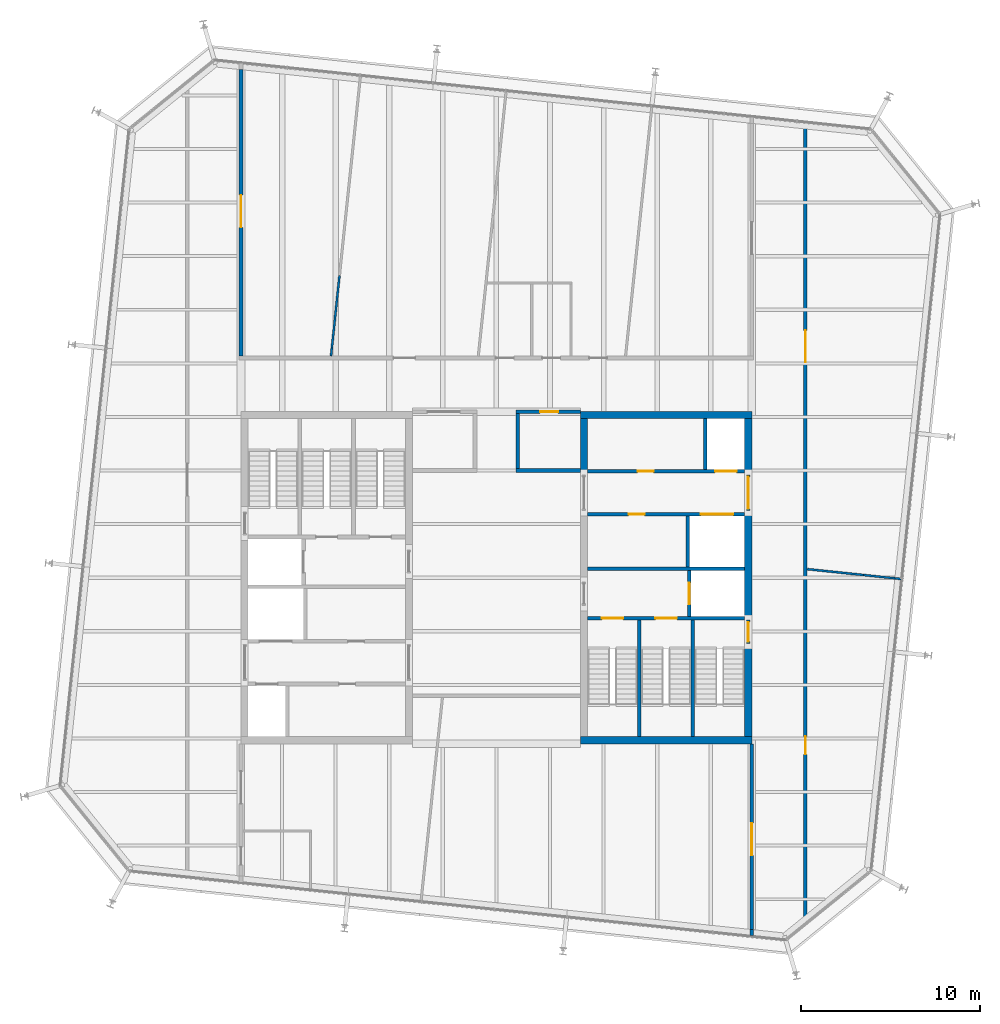
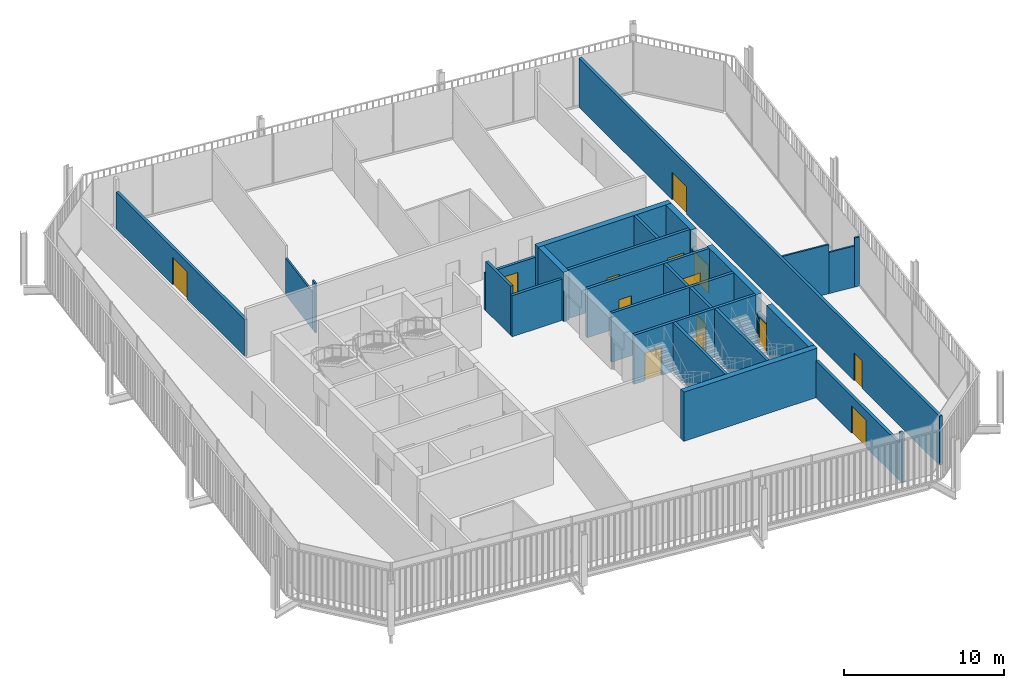
# One storey, part 17 of 20: 29 walls, 14 doors, 14 openings.
"""IFC4 building model written with IfcOpenShell, lengths in metres."""

from ifc_helpers import new_model, si_unit, direction, frame, frame_2d, origin, place, context, subcontext, project, spatial, rectangle, extrude, material, layer, layer_set, type_object, element, fill, save


model = new_model("IFC4")

# Units and contexts
model_context = context("Model", 3, precision=1e-05, world=origin(), true_north=direction((0.0, 1.0)))
body_context = subcontext(model_context, "Body", "Model", "MODEL_VIEW")
ifc_project = project(units=[si_unit("LENGTHUNIT", "METRE"), si_unit("AREAUNIT", "SQUARE_METRE"), si_unit("VOLUMEUNIT", "CUBIC_METRE"), si_unit("PLANEANGLEUNIT", "RADIAN"), si_unit("MASSUNIT", "GRAM", prefix="KILO")], contexts=[model_context])

# Site, building, storey
site_placement = place(None, origin())
site = spatial("IfcSite", under=ifc_project, at=site_placement, CompositionType="ELEMENT")
building_placement = place(site_placement, origin())
building = spatial("IfcBuilding", under=site, at=building_placement, Name="Millrace Tower", CompositionType="ELEMENT")
storey_placement = place(building_placement, frame((0.0, 0.0, 279.89990234375)))
storey = spatial("IfcBuildingStorey", under=building, at=storey_placement, Name="L64", CompositionType="ELEMENT", Elevation=279.89990234375)

# Walls
ifc_material_1 = material(Name="Concrete C60", Category="concrete")
ifc_layer_1 = layer(ifc_material_1, 0.39990234375)
ifc_layer_set_1 = layer_set([ifc_layer_1], Name="Concrete C60")
wall_type_1 = type_object("IfcWallType", Name="Core wall 400 Concrete C60", PredefinedType="SHEAR", material=ifc_layer_set_1)
for number, where, z_axis, x_axis, name in (
    (1, (14.300048828125, 9.10009765625, 0.0), (0.0, 0.0, 1.0), (-1.0, 0.0, 0.0), "Core wall E L64"),
    (2, (14.300048828125, -9.10009765625, 0.0), (0.0, 0.0, 1.0), (-1.0, 0.0, 0.0), "Core wall E L64"),
):
    element("IfcWall", number, at=place(storey_placement, frame(where, z_axis=z_axis, x_axis=x_axis)), inside=storey, type_object=wall_type_1, Name=name, PredefinedType="SHEAR", context=body_context, shape_type="SweptSolid", body=[
        extrude(rectangle(XDim=9.60009765625, YDim=0.39990234375, at=frame_2d((4.800048828125, 0.0))), origin(), (0.0, 0.0, 1.0), 3.739990234375),
    ])
wall_1_placement = place(storey_placement, frame((14.10009765625, 8.89990234375, 0.0), z_axis=(0.0, 0.0, 1.0), x_axis=(0.0, -1.0, 0.0)))
element("IfcWall", 3, at=wall_1_placement, inside=storey, type_object=wall_type_1, Name="Core wall E L64", PredefinedType="SHEAR", context=body_context, shape_type="SweptSolid", body=[
    extrude(rectangle(XDim=3.14990234375, YDim=0.39990234375, at=frame_2d((1.574951171875, 0.0))), origin(), (0.0, 0.0, 1.0), 3.739990234375),
])
wall_2_placement = place(storey_placement, frame((14.10009765625, 3.75, 0.0), z_axis=(0.0, 0.0, 1.0), x_axis=(0.0, -1.0, 0.0)))
element("IfcWall", 4, at=wall_2_placement, inside=storey, type_object=wall_type_1, Name="Core wall E L64", PredefinedType="SHEAR", context=body_context, shape_type="SweptSolid", body=[
    extrude(rectangle(XDim=6.1298828125, YDim=0.39990234375, at=frame_2d((3.06494140625, 0.0))), origin(), (0.0, 0.0, 1.0), 3.739990234375),
])
wall_3_placement = place(storey_placement, frame((14.10009765625, -3.679931640625, 0.0), z_axis=(0.0, 0.0, 1.0), x_axis=(0.0, -1.0, 0.0)))
element("IfcWall", 5, at=wall_3_placement, inside=storey, type_object=wall_type_1, Name="Core wall E L64", PredefinedType="SHEAR", context=body_context, shape_type="SweptSolid", body=[
    extrude(rectangle(XDim=5.219970703125, YDim=0.39990234375, at=frame_2d((2.60986328125, 0.0))), origin(), (0.0, 0.0, 1.0), 3.739990234375),
])
wall_4_placement = place(storey_placement, frame((4.89990234375, 8.89990234375, 0.0), z_axis=(0.0, 0.0, 1.0), x_axis=(0.0, -1.0, 0.0)))
element("IfcWall", 6, at=wall_4_placement, inside=storey, type_object=wall_type_1, Name="Core wall E L64", PredefinedType="SHEAR", context=body_context, shape_type="SweptSolid", body=[
    extrude(rectangle(XDim=3.14990234375, YDim=0.39990234375, at=frame_2d((1.574951171875, 0.0))), origin(), (0.0, 0.0, 1.0), 3.739990234375),
])
ifc_material_2 = material(Name="Masonry partition, fire-rated", Category="masonry")
ifc_layer_2 = layer(ifc_material_2, 0.199951171875)
ifc_layer_set_2 = layer_set([ifc_layer_2], Name="Masonry partition, fire-rated")
wall_type_2 = type_object("IfcWallType", Name="Corridor wall 200", PredefinedType="PARTITIONING", material=ifc_layer_set_2)
wall_5_placement = place(storey_placement, frame((1.10009765625, 6.0, 0.0), z_axis=(0.0, 0.0, 1.0), x_axis=(1.0, 0.0, 0.0)))
element("IfcWall", 7, at=wall_5_placement, inside=storey, type_object=wall_type_2, Name="Corridor wall L64", PredefinedType="PARTITIONING", context=body_context, shape_type="SweptSolid", body=[
    extrude(rectangle(XDim=3.599853515625, YDim=0.199951171875, at=frame_2d((1.7998046875, 0.0))), origin(), (0.0, 0.0, 1.0), 3.140625),
])

# Wall, opening, door
wall_6_placement = place(storey_placement, frame((1.10009765625, 9.300048828125, 0.0), z_axis=(0.0, 0.0, 1.0), x_axis=(1.0, 0.0, 0.0)))
wall_6 = element("IfcWall", 8, at=wall_6_placement, inside=storey, type_object=wall_type_2, Name="Corridor wall L64", PredefinedType="PARTITIONING", context=body_context, shape_type="SweptSolid", body=[
    extrude(rectangle(XDim=3.599853515625, YDim=0.199951171875, at=frame_2d((1.7998046875, 0.0))), origin(), (0.0, 0.0, 1.0), 2.81298828125),
])
opening_1_placement = place(wall_6_placement, frame((1.35009765625, 0.0, 0.0)))
opening_1 = element("IfcOpeningElement", 9, at=opening_1_placement, cuts=wall_6, Name="Opening 64-P002", PredefinedType="OPENING", context=body_context, shape_type="SweptSolid", body=[
    extrude(rectangle(XDim=1.0, YDim=2.10009765625, at=frame_2d((0.5, 1.050048828125))), frame((0.0, 0.10986328125, 0.0), z_axis=(0.0, -1.0, 0.0), x_axis=(1.0, 0.0, 0.0)), (0.0, 0.0, 1.0), 0.219970703125),
])
ifc_material_3 = material(Name="Steel door set, fire-rated", Category="steel")
door_type_1 = type_object("IfcDoorType", Name="Corridor door 1000 x 2100", OperationType="SINGLE_SWING_LEFT", PredefinedType="DOOR", material=ifc_material_3)
door_1_placement = place(opening_1_placement, frame((1.0, 0.0, 0.0), z_axis=(0.0, 0.0, 1.0), x_axis=(-1.0, 0.0, 0.0)))
door_1 = element("IfcDoor", 10, at=door_1_placement, inside=storey, type_object=door_type_1, Name="Door 64-P002", OperationType="SINGLE_SWING_RIGHT", OverallHeight=2.10009765625, OverallWidth=1.0, PredefinedType="DOOR", context=body_context, shape_type="SweptSolid", body=[
    extrude(rectangle(XDim=1.0, YDim=2.10009765625, at=frame_2d((0.5, 1.050048828125))), frame((0.0, 0.02490234375, 0.0), z_axis=(0.0, -1.0, 0.0), x_axis=(1.0, 0.0, 0.0)), (0.0, 0.0, 1.0), 0.050048828125),
])
fill(opening_1, door_1)

# Wall, openings, doors
wall_7_placement = place(storey_placement, frame((17.300048828125, -19.5283203125, 0.0), z_axis=(0.0, 0.0, 1.0), x_axis=(0.0, 1.0, 0.0)))
wall_7 = element("IfcWall", 11, at=wall_7_placement, inside=storey, type_object=wall_type_2, Name="Corridor wall L64", PredefinedType="PARTITIONING", context=body_context, shape_type="SweptSolid", body=[
    extrude(rectangle(XDim=44.986572265625, YDim=0.199951171875, at=frame_2d((22.4931640625, 0.0))), origin(), (0.0, 0.0, 1.0), 3.739990234375),
])
opening_2_placement = place(wall_7_placement, frame((9.6416015625, 0.0, 0.0)))
opening_2 = element("IfcOpeningElement", 12, at=opening_2_placement, cuts=wall_7, Name="Opening 64-P010", PredefinedType="OPENING", context=body_context, shape_type="SweptSolid", body=[
    extrude(rectangle(XDim=1.0, YDim=2.10009765625, at=frame_2d((0.5, 1.050048828125))), frame((0.0, 0.10986328125, 0.0), z_axis=(0.0, -1.0, 0.0), x_axis=(1.0, 0.0, 0.0)), (0.0, 0.0, 1.0), 0.219970703125),
])
opening_3_placement = place(wall_7_placement, frame((31.57763671875, 0.0, 0.0)))
opening_3 = element("IfcOpeningElement", 13, at=opening_3_placement, cuts=wall_7, Name="Opening 64-P011", PredefinedType="OPENING", context=body_context, shape_type="SweptSolid", body=[
    extrude(rectangle(XDim=1.800048828125, YDim=2.10009765625, at=frame_2d((0.89990234375, 1.050048828125))), frame((0.0, 0.10986328125, 0.0), z_axis=(0.0, -1.0, 0.0), x_axis=(1.0, 0.0, 0.0)), (0.0, 0.0, 1.0), 0.219970703125),
])
door_2_placement = place(opening_2_placement, frame((1.0, 0.0, 0.0), z_axis=(0.0, 0.0, 1.0), x_axis=(-1.0, 0.0, 0.0)))
door_2 = element("IfcDoor", 14, at=door_2_placement, inside=storey, type_object=door_type_1, Name="Door 64-P010", OperationType="SINGLE_SWING_RIGHT", OverallHeight=2.10009765625, OverallWidth=1.0, PredefinedType="DOOR", context=body_context, shape_type="SweptSolid", body=[
    extrude(rectangle(XDim=1.0, YDim=2.10009765625, at=frame_2d((0.5, 1.050048828125))), frame((0.0, 0.02490234375, 0.0), z_axis=(0.0, -1.0, 0.0), x_axis=(1.0, 0.0, 0.0)), (0.0, 0.0, 1.0), 0.050048828125),
])
fill(opening_2, door_2)
ifc_material_4 = material(Name="Steel door set, fire-rated", Category="steel")
door_type_2 = type_object("IfcDoorType", Name="Corridor door 1800 x 2100", OperationType="DOUBLE_DOOR_SINGLE_SWING", PredefinedType="DOOR", material=ifc_material_4)
door_3_placement = place(opening_3_placement, origin())
door_3 = element("IfcDoor", 15, at=door_3_placement, inside=storey, type_object=door_type_2, Name="Door 64-P011", OperationType="DOUBLE_DOOR_SINGLE_SWING", OverallHeight=2.10009765625, OverallWidth=1.800048828125, PredefinedType="DOOR", context=body_context, shape_type="SweptSolid", body=[
    extrude(rectangle(XDim=1.800048828125, YDim=2.10009765625, at=frame_2d((0.89990234375, 1.050048828125))), frame((0.0, 0.02490234375, 0.0), z_axis=(0.0, -1.0, 0.0), x_axis=(1.0, 0.0, 0.0)), (0.0, 0.0, 1.0), 0.050048828125),
])
fill(opening_3, door_3)

# Wall
wall_8_placement = place(storey_placement, frame((14.300048828125, -20.037353515625, 0.0), z_axis=(0.0, 0.0, 1.0), x_axis=(0.0, 1.0, 0.0)))
element("IfcWall", 16, at=wall_8_placement, inside=storey, type_object=wall_type_2, Name="Corridor wall L64", PredefinedType="PARTITIONING", context=body_context, shape_type="SweptSolid", body=[
    extrude(rectangle(XDim=0.339111328125, YDim=0.199951171875, at=frame_2d((0.16943359375, 0.0))), origin(), (0.0, 0.0, 1.0), 3.739990234375),
])

# Wall, opening, door
wall_9_placement = place(storey_placement, frame((14.300048828125, -19.6982421875, 0.0), z_axis=(0.0, 0.0, 1.0), x_axis=(0.0, 1.0, 0.0)))
wall_9 = element("IfcWall", 17, at=wall_9_placement, inside=storey, type_object=wall_type_2, Name="Corridor wall L64", PredefinedType="PARTITIONING", context=body_context, shape_type="SweptSolid", body=[
    extrude(rectangle(XDim=10.398193359375, YDim=0.199951171875, at=frame_2d((5.19921875, 0.0))), origin(), (0.0, 0.0, 1.0), 2.81298828125),
])
opening_4_placement = place(wall_9_placement, frame((4.15478515625, 0.0, 0.0)))
opening_4 = element("IfcOpeningElement", 18, at=opening_4_placement, cuts=wall_9, Name="Opening 64-P014", PredefinedType="OPENING", context=body_context, shape_type="SweptSolid", body=[
    extrude(rectangle(XDim=1.800048828125, YDim=2.10009765625, at=frame_2d((0.89990234375, 1.050048828125))), frame((0.0, 0.10986328125, 0.0), z_axis=(0.0, -1.0, 0.0), x_axis=(1.0, 0.0, 0.0)), (0.0, 0.0, 1.0), 0.219970703125),
])
door_4_placement = place(opening_4_placement, frame((1.800048828125, 0.0, 0.0), z_axis=(0.0, 0.0, 1.0), x_axis=(-1.0, 0.0, 0.0)))
door_4 = element("IfcDoor", 19, at=door_4_placement, inside=storey, type_object=door_type_2, Name="Door 64-P014", OperationType="DOUBLE_DOOR_SINGLE_SWING", OverallHeight=2.10009765625, OverallWidth=1.800048828125, PredefinedType="DOOR", context=body_context, shape_type="SweptSolid", body=[
    extrude(rectangle(XDim=1.800048828125, YDim=2.10009765625, at=frame_2d((0.89990234375, 1.050048828125))), frame((0.0, 0.02490234375, 0.0), z_axis=(0.0, -1.0, 0.0), x_axis=(1.0, 0.0, 0.0)), (0.0, 0.0, 1.0), 0.050048828125),
])
fill(opening_4, door_4)

# Wall
wall_10_placement = place(storey_placement, frame((1.199951171875, 6.10009765625, 0.0), z_axis=(0.0, 0.0, 1.0), x_axis=(0.0, 1.0, 0.0)))
element("IfcWall", 20, at=wall_10_placement, inside=storey, type_object=wall_type_2, Name="Corridor wall L64", PredefinedType="PARTITIONING", context=body_context, shape_type="SweptSolid", body=[
    extrude(rectangle(XDim=3.099853515625, YDim=0.199951171875, at=frame_2d((1.5498046875, 0.0))), origin(), (0.0, 0.0, 1.0), 3.739990234375),
])

# Wall, opening, door
wall_11_placement = place(storey_placement, frame((-14.300048828125, 12.39990234375, 0.0), z_axis=(0.0, 0.0, 1.0), x_axis=(0.0, 1.0, 0.0)))
wall_11 = element("IfcWall", 21, at=wall_11_placement, inside=storey, type_object=wall_type_2, Name="Corridor wall L64", PredefinedType="PARTITIONING", context=body_context, shape_type="SweptSolid", body=[
    extrude(rectangle(XDim=16.040283203125, YDim=0.199951171875, at=frame_2d((8.02001953125, 0.0))), origin(), (0.0, 0.0, 1.0), 2.792724609375),
])
opening_5_placement = place(wall_11_placement, frame((7.214599609375, 0.0, 0.0)))
opening_5 = element("IfcOpeningElement", 22, at=opening_5_placement, cuts=wall_11, Name="Opening 64-P004", PredefinedType="OPENING", context=body_context, shape_type="SweptSolid", body=[
    extrude(rectangle(XDim=1.800048828125, YDim=2.10009765625, at=frame_2d((0.89990234375, 1.050048828125))), frame((0.0, 0.10986328125, 0.0), z_axis=(0.0, -1.0, 0.0), x_axis=(1.0, 0.0, 0.0)), (0.0, 0.0, 1.0), 0.219970703125),
])
door_5_placement = place(opening_5_placement, frame((1.800048828125, 0.0, 0.0), z_axis=(0.0, 0.0, 1.0), x_axis=(-1.0, 0.0, 0.0)))
door_5 = element("IfcDoor", 23, at=door_5_placement, inside=storey, type_object=door_type_2, Name="Door 64-P004", OperationType="DOUBLE_DOOR_SINGLE_SWING", OverallHeight=2.10009765625, OverallWidth=1.800048828125, PredefinedType="DOOR", context=body_context, shape_type="SweptSolid", body=[
    extrude(rectangle(XDim=1.800048828125, YDim=2.10009765625, at=frame_2d((0.89990234375, 1.050048828125))), frame((0.0, 0.02490234375, 0.0), z_axis=(0.0, -1.0, 0.0), x_axis=(1.0, 0.0, 0.0)), (0.0, 0.0, 1.0), 0.050048828125),
])
fill(opening_5, door_5)

# Wall, openings, doors
ifc_material_5 = material(Name="Masonry partition, fire-rated", Category="masonry")
ifc_layer_3 = layer(ifc_material_5, 0.199951171875)
ifc_layer_set_3 = layer_set([ifc_layer_3], Name="Masonry partition, fire-rated")
wall_type_3 = type_object("IfcWallType", Name="Lift shaft wall 200", PredefinedType="PARTITIONING", material=ifc_layer_set_3)
wall_12_placement = place(storey_placement, frame((13.89990234375, 5.949951171875, 0.0), z_axis=(0.0, 0.0, 1.0), x_axis=(-1.0, 0.0, 0.0)))
wall_12 = element("IfcWall", 24, at=wall_12_placement, inside=storey, type_object=wall_type_3, Name="Lift shaft wall E L64", PredefinedType="PARTITIONING", context=body_context, shape_type="SweptSolid", body=[
    extrude(rectangle(XDim=8.7998046875, YDim=0.199951171875, at=frame_2d((4.39990234375, 0.0))), origin(), (0.0, 0.0, 1.0), 3.739990234375),
])
opening_6_placement = place(wall_12_placement, frame((0.449951171875, 0.0, 0.0)))
opening_6 = element("IfcOpeningElement", 25, at=opening_6_placement, cuts=wall_12, Name="Opening 64-LD09", PredefinedType="OPENING", context=body_context, shape_type="SweptSolid", body=[
    extrude(rectangle(XDim=1.199951171875, YDim=2.10009765625, at=frame_2d((0.60009765625, 1.050048828125))), frame((0.0, 0.10986328125, 0.0), z_axis=(0.0, -1.0, 0.0), x_axis=(1.0, 0.0, 0.0)), (0.0, 0.0, 1.0), 0.219970703125),
])
opening_7_placement = place(wall_12_placement, frame((5.10009765625, 0.0, 0.0)))
opening_7 = element("IfcOpeningElement", 26, at=opening_7_placement, cuts=wall_12, Name="Opening 64-C013", PredefinedType="OPENING", context=body_context, shape_type="SweptSolid", body=[
    extrude(rectangle(XDim=0.89990234375, YDim=2.10009765625, at=frame_2d((0.449951171875, 1.050048828125))), frame((0.0, 0.10986328125, 0.0), z_axis=(0.0, -1.0, 0.0), x_axis=(1.0, 0.0, 0.0)), (0.0, 0.0, 1.0), 0.219970703125),
])
ifc_material_6 = material(Name="Stainless steel, fire-rated", Category="steel")
door_type_3 = type_object("IfcDoorType", Name="Lift landing door 1200 x 2100", OperationType="DOUBLE_DOOR_SLIDING", PredefinedType="DOOR", material=ifc_material_6)
door_6_placement = place(opening_6_placement, origin())
door_6 = element("IfcDoor", 27, at=door_6_placement, inside=storey, type_object=door_type_3, Name="Lift landing door LF9 L64", OperationType="DOUBLE_DOOR_SLIDING", OverallHeight=2.10009765625, OverallWidth=1.199951171875, PredefinedType="DOOR", context=body_context, shape_type="SweptSolid", body=[
    extrude(rectangle(XDim=1.199951171875, YDim=2.10009765625, at=frame_2d((0.60009765625, 1.050048828125))), frame((0.0, 0.02490234375, 0.0), z_axis=(0.0, -1.0, 0.0), x_axis=(1.0, 0.0, 0.0)), (0.0, 0.0, 1.0), 0.050048828125),
])
fill(opening_6, door_6)
ifc_material_7 = material(Name="Steel door, fire-rated", Category="steel")
door_type_4 = type_object("IfcDoorType", Name="Service room door 900 x 2100", OperationType="SINGLE_SWING_LEFT", PredefinedType="DOOR", material=ifc_material_7)
door_7_placement = place(opening_7_placement, frame((0.89990234375, 0.0, 0.0), z_axis=(0.0, 0.0, 1.0), x_axis=(-1.0, 0.0, 0.0)))
door_7 = element("IfcDoor", 28, at=door_7_placement, inside=storey, type_object=door_type_4, Name="Service room door 64-C013", OperationType="SINGLE_SWING_LEFT", OverallHeight=2.10009765625, OverallWidth=0.89990234375, PredefinedType="DOOR", context=body_context, shape_type="SweptSolid", body=[
    extrude(rectangle(XDim=0.89990234375, YDim=2.10009765625, at=frame_2d((0.449951171875, 1.050048828125))), frame((0.0, 0.02490234375, 0.0), z_axis=(0.0, -1.0, 0.0), x_axis=(1.0, 0.0, 0.0)), (0.0, 0.0, 1.0), 0.050048828125),
])
fill(opening_7, door_7)

wall_13_placement = place(storey_placement, frame((13.89990234375, 3.550048828125, 0.0), z_axis=(0.0, 0.0, 1.0), x_axis=(-1.0, 0.0, 0.0)))
wall_13 = element("IfcWall", 29, at=wall_13_placement, inside=storey, type_object=wall_type_3, Name="Lift shaft wall E L64", PredefinedType="PARTITIONING", context=body_context, shape_type="SweptSolid", body=[
    extrude(rectangle(XDim=8.7998046875, YDim=0.199951171875, at=frame_2d((4.39990234375, 0.0))), origin(), (0.0, 0.0, 1.0), 3.739990234375),
])
opening_8_placement = place(wall_13_placement, frame((0.64990234375, 0.0, 0.0)))
opening_8 = element("IfcOpeningElement", 30, at=opening_8_placement, cuts=wall_13, Name="Opening 64-LD13", PredefinedType="OPENING", context=body_context, shape_type="SweptSolid", body=[
    extrude(rectangle(XDim=1.800048828125, YDim=2.10009765625, at=frame_2d((0.89990234375, 1.050048828125))), frame((0.0, 0.10986328125, 0.0), z_axis=(0.0, -1.0, 0.0), x_axis=(1.0, 0.0, 0.0)), (0.0, 0.0, 1.0), 0.219970703125),
])
opening_9_placement = place(wall_13_placement, frame((5.60009765625, 0.0, 0.0)))
opening_9 = element("IfcOpeningElement", 31, at=opening_9_placement, cuts=wall_13, Name="Opening 64-C014", PredefinedType="OPENING", context=body_context, shape_type="SweptSolid", body=[
    extrude(rectangle(XDim=0.89990234375, YDim=2.10009765625, at=frame_2d((0.449951171875, 1.050048828125))), frame((0.0, 0.10986328125, 0.0), z_axis=(0.0, -1.0, 0.0), x_axis=(1.0, 0.0, 0.0)), (0.0, 0.0, 1.0), 0.219970703125),
])
ifc_material_8 = material(Name="Stainless steel, fire-rated", Category="steel")
door_type_5 = type_object("IfcDoorType", Name="Lift landing door 1800 x 2100", OperationType="DOUBLE_DOOR_SLIDING", PredefinedType="DOOR", material=ifc_material_8)
door_8_placement = place(opening_8_placement, origin())
door_8 = element("IfcDoor", 32, at=door_8_placement, inside=storey, type_object=door_type_5, Name="Lift landing door LF13 L64", OperationType="DOUBLE_DOOR_SLIDING", OverallHeight=2.10009765625, OverallWidth=1.800048828125, PredefinedType="DOOR", context=body_context, shape_type="SweptSolid", body=[
    extrude(rectangle(XDim=1.800048828125, YDim=2.10009765625, at=frame_2d((0.89990234375, 1.050048828125))), frame((0.0, 0.02490234375, 0.0), z_axis=(0.0, -1.0, 0.0), x_axis=(1.0, 0.0, 0.0)), (0.0, 0.0, 1.0), 0.050048828125),
])
fill(opening_8, door_8)
door_9_placement = place(opening_9_placement, origin())
door_9 = element("IfcDoor", 33, at=door_9_placement, inside=storey, type_object=door_type_4, Name="Service room door 64-C014", OperationType="SINGLE_SWING_RIGHT", OverallHeight=2.10009765625, OverallWidth=0.89990234375, PredefinedType="DOOR", context=body_context, shape_type="SweptSolid", body=[
    extrude(rectangle(XDim=0.89990234375, YDim=2.10009765625, at=frame_2d((0.449951171875, 1.050048828125))), frame((0.0, 0.02490234375, 0.0), z_axis=(0.0, -1.0, 0.0), x_axis=(1.0, 0.0, 0.0)), (0.0, 0.0, 1.0), 0.050048828125),
])
fill(opening_9, door_9)

# Wall
wall_14_placement = place(storey_placement, frame((13.89990234375, 0.5, 0.0), z_axis=(0.0, 0.0, 1.0), x_axis=(-1.0, 0.0, 0.0)))
element("IfcWall", 34, at=wall_14_placement, inside=storey, type_object=wall_type_3, Name="Lift shaft wall E L64", PredefinedType="PARTITIONING", context=body_context, shape_type="SweptSolid", body=[
    extrude(rectangle(XDim=8.7998046875, YDim=0.199951171875, at=frame_2d((4.39990234375, 0.0))), origin(), (0.0, 0.0, 1.0), 3.739990234375),
])

# Wall, opening, door
wall_15_placement = place(storey_placement, frame((10.800048828125, 0.39990234375, 0.0), z_axis=(0.0, 0.0, 1.0), x_axis=(0.0, -1.0, 0.0)))
wall_15 = element("IfcWall", 35, at=wall_15_placement, inside=storey, type_object=wall_type_3, Name="Lift shaft wall E L64", PredefinedType="PARTITIONING", context=body_context, shape_type="SweptSolid", body=[
    extrude(rectangle(XDim=2.579833984375, YDim=0.199951171875, at=frame_2d((1.2900390625, 0.0))), origin(), (0.0, 0.0, 1.0), 3.739990234375),
])
opening_10_placement = place(wall_15_placement, frame((0.68994140625, 0.0, 0.0)))
opening_10 = element("IfcOpeningElement", 36, at=opening_10_placement, cuts=wall_15, Name="Opening 64-LD16", PredefinedType="OPENING", context=body_context, shape_type="SweptSolid", body=[
    extrude(rectangle(XDim=1.199951171875, YDim=2.10009765625, at=frame_2d((0.60009765625, 1.050048828125))), frame((0.0, 0.10986328125, 0.0), z_axis=(0.0, -1.0, 0.0), x_axis=(1.0, 0.0, 0.0)), (0.0, 0.0, 1.0), 0.219970703125),
])
door_10_placement = place(opening_10_placement, origin())
door_10 = element("IfcDoor", 37, at=door_10_placement, inside=storey, type_object=door_type_3, Name="Lift landing door LF16 L64", OperationType="DOUBLE_DOOR_SLIDING", OverallHeight=2.10009765625, OverallWidth=1.199951171875, PredefinedType="DOOR", context=body_context, shape_type="SweptSolid", body=[
    extrude(rectangle(XDim=1.199951171875, YDim=2.10009765625, at=frame_2d((0.60009765625, 1.050048828125))), frame((0.0, 0.02490234375, 0.0), z_axis=(0.0, -1.0, 0.0), x_axis=(1.0, 0.0, 0.0)), (0.0, 0.0, 1.0), 0.050048828125),
])
fill(opening_10, door_10)

# Walls
for number, where, z_axis, x_axis, name in (
    (38, (11.699951171875, 8.89990234375, 0.0), (0.0, 0.0, 1.0), (0.0, -1.0, 0.0), "Lift shaft wall E L64"),
    (39, (10.699951171875, 3.449951171875, 0.0), (0.0, 0.0, 1.0), (0.0, -1.0, 0.0), "Lift shaft wall E L64"),
):
    element("IfcWall", number, at=place(storey_placement, frame(where, z_axis=z_axis, x_axis=x_axis)), inside=storey, type_object=wall_type_3, Name=name, PredefinedType="PARTITIONING", context=body_context, shape_type="SweptSolid", body=[
        extrude(rectangle(XDim=2.849853515625, YDim=0.199951171875, at=frame_2d((1.4248046875, 0.0))), origin(), (0.0, 0.0, 1.0), 3.739990234375),
    ])

# Wall, opening, door
ifc_material_9 = material(Name="Masonry partition, fire-rated", Category="masonry")
ifc_layer_4 = layer(ifc_material_9, 0.199951171875)
ifc_layer_set_4 = layer_set([ifc_layer_4], Name="Masonry partition, fire-rated")
wall_type_4 = type_object("IfcWallType", Name="Lobby wall 200", PredefinedType="PARTITIONING", material=ifc_layer_set_4)
wall_16_placement = place(storey_placement, frame((14.10009765625, 5.75, 0.0), z_axis=(0.0, 0.0, 1.0), x_axis=(0.0, -1.0, 0.0)))
wall_16 = element("IfcWall", 40, at=wall_16_placement, inside=storey, type_object=wall_type_4, Name="Lobby wall E L64", PredefinedType="PARTITIONING", context=body_context, shape_type="SweptSolid", body=[
    extrude(rectangle(XDim=2.0, YDim=0.199951171875, at=frame_2d((1.0, 0.0))), origin(), (0.0, 0.0, 1.0), 2.400146484375),
])
opening_11_placement = place(wall_16_placement, frame((0.10009765625, 0.0, 0.0)))
opening_11 = element("IfcOpeningElement", 41, at=opening_11_placement, cuts=wall_16, Name="Opening 64-C009", PredefinedType="OPENING", context=body_context, shape_type="SweptSolid", body=[
    extrude(rectangle(XDim=1.800048828125, YDim=2.10009765625, at=frame_2d((0.89990234375, 1.050048828125))), frame((0.0, 0.10986328125, 0.0), z_axis=(0.0, -1.0, 0.0), x_axis=(1.0, 0.0, 0.0)), (0.0, 0.0, 1.0), 0.219970703125),
])
ifc_material_10 = material(Name="Steel door, fire-rated", Category="steel")
door_type_6 = type_object("IfcDoorType", Name="Lobby door 1800 x 2100", OperationType="DOUBLE_DOOR_SINGLE_SWING", PredefinedType="DOOR", material=ifc_material_10)
door_11_placement = place(opening_11_placement, origin())
door_11 = element("IfcDoor", 42, at=door_11_placement, inside=storey, type_object=door_type_6, Name="Lobby door 64-C009", OperationType="DOUBLE_DOOR_SINGLE_SWING", OverallHeight=2.10009765625, OverallWidth=1.800048828125, PredefinedType="DOOR", context=body_context, shape_type="SweptSolid", body=[
    extrude(rectangle(XDim=1.800048828125, YDim=2.10009765625, at=frame_2d((0.89990234375, 1.050048828125))), frame((0.0, 0.02490234375, 0.0), z_axis=(0.0, -1.0, 0.0), x_axis=(1.0, 0.0, 0.0)), (0.0, 0.0, 1.0), 0.050048828125),
])
fill(opening_11, door_11)

# Walls
ifc_material_11 = material(Name="Gypsum board partition")
ifc_layer_5 = layer(ifc_material_11, 0.1201171875)
ifc_layer_set_5 = layer_set([ifc_layer_5], Name="Gypsum board partition")
wall_type_5 = type_object("IfcWallType", Name="Partition wall 120", PredefinedType="PARTITIONING", material=ifc_layer_set_5)
wall_17_placement = place(storey_placement, frame((17.3994140625, 0.48046875, 0.0), z_axis=(0.0, 0.0, 1.0), x_axis=(0.994526077067, -0.104488669403, 0.0)))
element("IfcWall", 43, at=wall_17_placement, inside=storey, type_object=wall_type_5, Name="Partition wall L64", PredefinedType="PARTITIONING", context=body_context, shape_type="SweptSolid", body=[
    extrude(rectangle(XDim=3.17529296875, YDim=0.1201171875, at=frame_2d((1.587646484375, 0.0))), origin(), (0.0, 0.0, 1.0), 3.739990234375),
])
wall_18_placement = place(storey_placement, frame((20.557373046875, 0.148681640625, 0.0), z_axis=(0.0, 0.0, 1.0), x_axis=(0.99452965292, -0.104454628731, 0.0)))
element("IfcWall", 44, at=wall_18_placement, inside=storey, type_object=wall_type_5, Name="Partition wall L64", PredefinedType="PARTITIONING", context=body_context, shape_type="SweptSolid", body=[
    extrude(rectangle(XDim=1.76708984375, YDim=0.1201171875, at=frame_2d((0.883544921875, 0.0))), origin(), (0.0, 0.0, 1.0), 3.140625),
])
wall_19_placement = place(storey_placement, frame((22.314697265625, -0.035888671875, 0.0), z_axis=(0.0, 0.0, 1.0), x_axis=(0.994476864797, -0.104956016419, 0.0)))
element("IfcWall", 45, at=wall_19_placement, inside=storey, type_object=wall_type_5, Name="Partition wall L64", PredefinedType="PARTITIONING", context=body_context, shape_type="SweptSolid", body=[
    extrude(rectangle(XDim=0.327880859375, YDim=0.1201171875, at=frame_2d((0.1640625, 0.0))), origin(), (0.0, 0.0, 1.0), 3.739990234375),
])
wall_20_placement = place(storey_placement, frame((-9.260498046875, 12.3994140625, 0.0), z_axis=(0.0, 0.0, 1.0), x_axis=(0.104319005638, 0.994543887952, 0.0)))
element("IfcWall", 46, at=wall_20_placement, inside=storey, type_object=wall_type_5, Name="Partition wall L64", PredefinedType="PARTITIONING", context=body_context, shape_type="SweptSolid", body=[
    extrude(rectangle(XDim=0.45166015625, YDim=0.1201171875, at=frame_2d((0.225830078125, 0.0))), origin(), (0.0, 0.0, 1.0), 3.739990234375),
])
wall_21_placement = place(storey_placement, frame((-9.21337890625, 12.8486328125, 0.0), z_axis=(0.0, 0.0, 1.0), x_axis=(0.104547794158, 0.99451986342, 0.0)))
element("IfcWall", 47, at=wall_21_placement, inside=storey, type_object=wall_type_5, Name="Partition wall L64", PredefinedType="PARTITIONING", context=body_context, shape_type="SweptSolid", body=[
    extrude(rectangle(XDim=4.08203125, YDim=0.1201171875, at=frame_2d((2.041015625, 0.0))), origin(), (0.0, 0.0, 1.0), 2.81298828125),
])

# Wall, opening, door
ifc_material_12 = material(Name="Concrete C40", Category="concrete")
ifc_layer_6 = layer(ifc_material_12, 0.199951171875)
ifc_layer_set_6 = layer_set([ifc_layer_6], Name="Concrete C40")
wall_type_6 = type_object("IfcWallType", Name="Stair enclosure wall 200 Concrete C40", PredefinedType="SHEAR", material=ifc_layer_set_6)
wall_22_placement = place(storey_placement, frame((14.10009765625, -2.3798828125, 0.0), z_axis=(0.0, 0.0, 1.0), x_axis=(0.0, -1.0, 0.0)))
wall_22 = element("IfcWall", 48, at=wall_22_placement, inside=storey, type_object=wall_type_6, Name="Stair enclosure wall E L64", PredefinedType="SHEAR", context=body_context, shape_type="SweptSolid", body=[
    extrude(rectangle(XDim=1.300048828125, YDim=0.199951171875, at=frame_2d((0.64990234375, 0.0))), origin(), (0.0, 0.0, 1.0), 2.400146484375),
])
opening_12_placement = place(wall_22_placement, frame((0.10009765625, 0.0, 0.0)))
opening_12 = element("IfcOpeningElement", 49, at=opening_12_placement, cuts=wall_22, Name="Opening 64-C010", PredefinedType="OPENING", context=body_context, shape_type="SweptSolid", body=[
    extrude(rectangle(XDim=1.10009765625, YDim=2.10009765625, at=frame_2d((0.550048828125, 1.050048828125))), frame((0.0, 0.10986328125, 0.0), z_axis=(0.0, -1.0, 0.0), x_axis=(1.0, 0.0, 0.0)), (0.0, 0.0, 1.0), 0.219970703125),
])
ifc_material_13 = material(Name="Steel door, fire-rated", Category="steel")
door_type_7 = type_object("IfcDoorType", Name="Stair door 1100 x 2100", OperationType="SINGLE_SWING_LEFT", PredefinedType="DOOR", material=ifc_material_13)
door_12_placement = place(opening_12_placement, origin())
door_12 = element("IfcDoor", 50, at=door_12_placement, inside=storey, type_object=door_type_7, Name="Stair door 64-C010", OperationType="SINGLE_SWING_LEFT", OverallHeight=2.10009765625, OverallWidth=1.10009765625, PredefinedType="DOOR", context=body_context, shape_type="SweptSolid", body=[
    extrude(rectangle(XDim=1.10009765625, YDim=2.10009765625, at=frame_2d((0.550048828125, 1.050048828125))), frame((0.0, 0.02490234375, 0.0), z_axis=(0.0, -1.0, 0.0), x_axis=(1.0, 0.0, 0.0)), (0.0, 0.0, 1.0), 0.050048828125),
])
fill(opening_12, door_12)

# Wall, openings, doors
wall_23_placement = place(storey_placement, frame((13.89990234375, -2.280029296875, 0.0), z_axis=(0.0, 0.0, 1.0), x_axis=(-1.0, 0.0, 0.0)))
wall_23 = element("IfcWall", 51, at=wall_23_placement, inside=storey, type_object=wall_type_6, Name="Stair enclosure wall E L64", PredefinedType="SHEAR", context=body_context, shape_type="SweptSolid", body=[
    extrude(rectangle(XDim=8.7998046875, YDim=0.199951171875, at=frame_2d((4.39990234375, 0.0))), origin(), (0.0, 0.0, 1.0), 3.739990234375),
])
opening_13_placement = place(wall_23_placement, frame((3.800048828125, 0.0, 0.0)))
opening_13 = element("IfcOpeningElement", 52, at=opening_13_placement, cuts=wall_23, Name="Opening 64-C015", PredefinedType="OPENING", context=body_context, shape_type="SweptSolid", body=[
    extrude(rectangle(XDim=1.199951171875, YDim=2.10009765625, at=frame_2d((0.60009765625, 1.050048828125))), frame((0.0, 0.10986328125, 0.0), z_axis=(0.0, -1.0, 0.0), x_axis=(1.0, 0.0, 0.0)), (0.0, 0.0, 1.0), 0.219970703125),
])
opening_14_placement = place(wall_23_placement, frame((6.800048828125, 0.0, 0.0)))
opening_14 = element("IfcOpeningElement", 53, at=opening_14_placement, cuts=wall_23, Name="Opening 64-C016", PredefinedType="OPENING", context=body_context, shape_type="SweptSolid", body=[
    extrude(rectangle(XDim=1.199951171875, YDim=2.10009765625, at=frame_2d((0.60009765625, 1.050048828125))), frame((0.0, 0.10986328125, 0.0), z_axis=(0.0, -1.0, 0.0), x_axis=(1.0, 0.0, 0.0)), (0.0, 0.0, 1.0), 0.219970703125),
])
ifc_material_14 = material(Name="Steel door, fire-rated", Category="steel")
door_type_8 = type_object("IfcDoorType", Name="Stair door 1200 x 2100", OperationType="SINGLE_SWING_LEFT", PredefinedType="DOOR", material=ifc_material_14)
door_13_placement = place(opening_13_placement, frame((1.199951171875, 0.0, 0.0), z_axis=(0.0, 0.0, 1.0), x_axis=(-1.0, 0.0, 0.0)))
door_13 = element("IfcDoor", 54, at=door_13_placement, inside=storey, type_object=door_type_8, Name="Stair door 64-C015", OperationType="SINGLE_SWING_RIGHT", OverallHeight=2.10009765625, OverallWidth=1.199951171875, PredefinedType="DOOR", context=body_context, shape_type="SweptSolid", body=[
    extrude(rectangle(XDim=1.199951171875, YDim=2.10009765625, at=frame_2d((0.60009765625, 1.050048828125))), frame((0.0, 0.02490234375, 0.0), z_axis=(0.0, -1.0, 0.0), x_axis=(1.0, 0.0, 0.0)), (0.0, 0.0, 1.0), 0.050048828125),
])
fill(opening_13, door_13)
door_14_placement = place(opening_14_placement, frame((1.199951171875, 0.0, 0.0), z_axis=(0.0, 0.0, 1.0), x_axis=(-1.0, 0.0, 0.0)))
door_14 = element("IfcDoor", 55, at=door_14_placement, inside=storey, type_object=door_type_8, Name="Stair door 64-C016", OperationType="SINGLE_SWING_LEFT", OverallHeight=2.10009765625, OverallWidth=1.199951171875, PredefinedType="DOOR", context=body_context, shape_type="SweptSolid", body=[
    extrude(rectangle(XDim=1.199951171875, YDim=2.10009765625, at=frame_2d((0.60009765625, 1.050048828125))), frame((0.0, 0.02490234375, 0.0), z_axis=(0.0, -1.0, 0.0), x_axis=(1.0, 0.0, 0.0)), (0.0, 0.0, 1.0), 0.050048828125),
])
fill(opening_14, door_14)

# Walls
for number, where, z_axis, x_axis, name in (
    (56, (11.0, -2.3798828125, 0.0), (0.0, 0.0, 1.0), (0.0, -1.0, 0.0), "Stair enclosure wall E L64"),
    (57, (8.0, -2.3798828125, 0.0), (0.0, 0.0, 1.0), (0.0, -1.0, 0.0), "Stair enclosure wall E L64"),
):
    element("IfcWall", number, at=place(storey_placement, frame(where, z_axis=z_axis, x_axis=x_axis)), inside=storey, type_object=wall_type_6, Name=name, PredefinedType="SHEAR", context=body_context, shape_type="SweptSolid", body=[
        extrude(rectangle(XDim=6.52001953125, YDim=0.199951171875, at=frame_2d((3.260009765625, 0.0))), origin(), (0.0, 0.0, 1.0), 3.739990234375),
    ])

save(model, "model.ifc")
